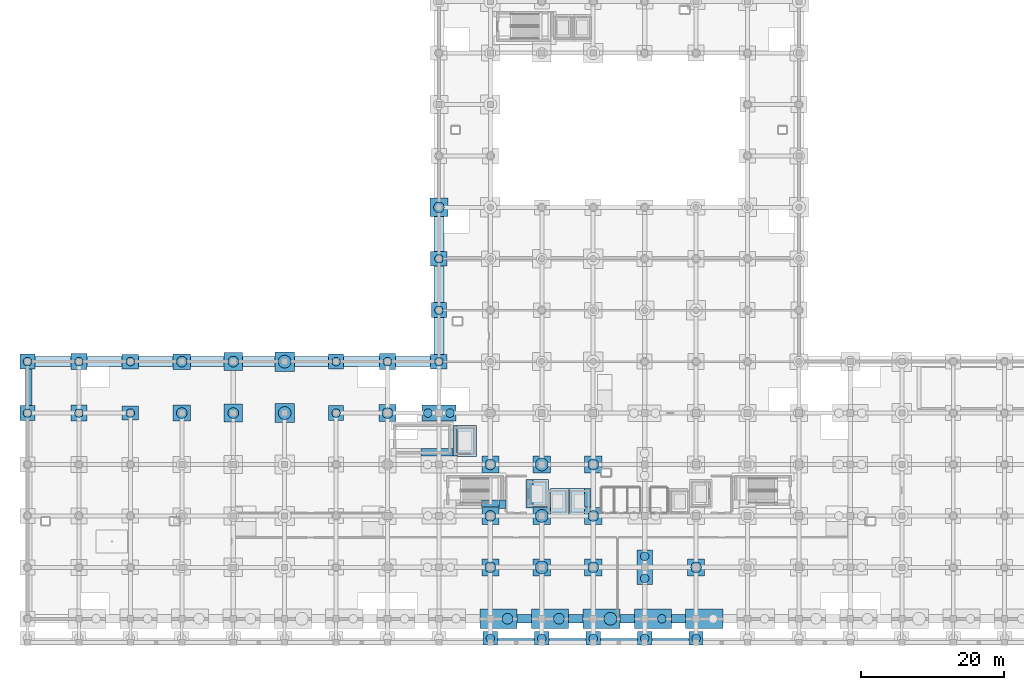
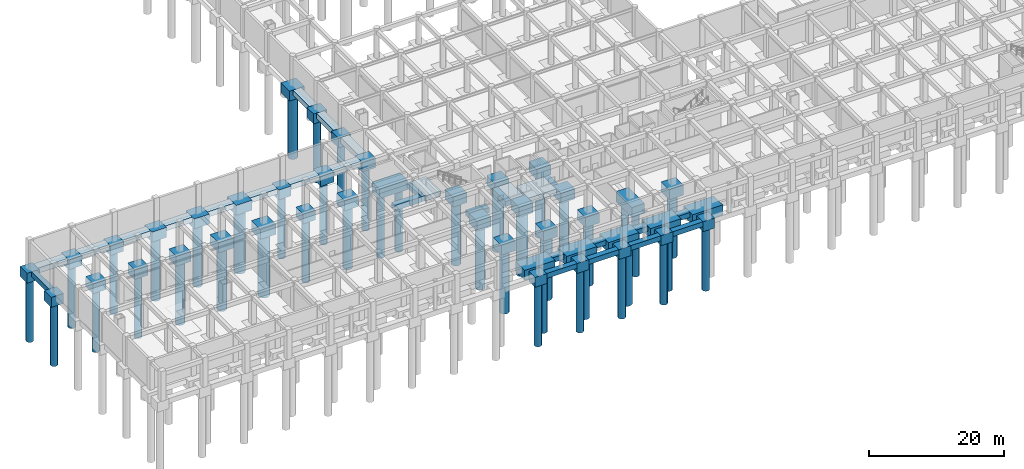
# One storey, part 2 of 26: 72 footings, 43 piles.
"""IFC4 building model written with IfcOpenShell, lengths in metres."""

from ifc_helpers import new_model, si_unit, direction, frame, origin, origin_2d, place, context, subcontext, project, spatial, polyline, rectangle, circle, outline, extrude, material, material_profile, profile_set, type_object, element, save


model = new_model("IFC4")

# Units and contexts
model_context = context("Model", 3, precision=1e-05, world=origin(), true_north=direction((0.0, 1.0)))
body_context = subcontext(model_context, "Body", "Model", "MODEL_VIEW")
ifc_project = project(units=[si_unit("LENGTHUNIT", "METRE"), si_unit("AREAUNIT", "SQUARE_METRE"), si_unit("VOLUMEUNIT", "CUBIC_METRE"), si_unit("PLANEANGLEUNIT", "RADIAN"), si_unit("MASSUNIT", "GRAM", prefix="KILO")], contexts=[model_context])

# Site, building, storey
site_placement = place(None, origin())
site = spatial("IfcSite", under=ifc_project, at=site_placement, CompositionType="ELEMENT")
building_placement = place(site_placement, origin())
building = spatial("IfcBuilding", under=site, at=building_placement, Name="Kazehaya Institute of Natural Sciences", CompositionType="ELEMENT")
storey_placement = place(building_placement, frame((0.0, 0.0, -5.39990234375)))
storey = spatial("IfcBuildingStorey", under=building, at=storey_placement, Name="B1", CompositionType="ELEMENT", Elevation=-5.39990234375)

# Footings
ifc_material = material(Name="Concrete Fc36", Category="concrete")
footing_type_1 = type_object("IfcFootingType", Name="FT-PAD01", PredefinedType="PAD_FOOTING", material=ifc_material)
footing_1_placement = place(storey_placement, frame((0.0, 0.0, -0.9501953125)))
element("IfcFooting", 1, at=footing_1_placement, inside=storey, type_object=footing_type_1, Name="Core ST-1 pad footing S seg 2", PredefinedType="PAD_FOOTING", context=body_context, shape_type="SweptSolid", body=[
    extrude(outline(polyline([(70.219970703125, 22.219970703125), (71.179931640625, 22.219970703125), (71.179931640625, 23.419921875), (70.219970703125, 23.419921875), (70.219970703125, 22.219970703125)])), origin(), (0.0, 0.0, 1.0), 0.9501953125),
])
footing_2_placement = place(storey_placement, frame((0.0, 0.0, -0.9501953125)))
element("IfcFooting", 2, at=footing_2_placement, inside=storey, type_object=footing_type_1, Name="Core ST-1 pad footing S seg 4", PredefinedType="PAD_FOOTING", context=body_context, shape_type="SweptSolid", body=[
    extrude(outline(polyline([(67.780029296875, 22.419921875), (70.219970703125, 22.419921875), (70.219970703125, 23.419921875), (67.780029296875, 23.419921875), (67.780029296875, 22.419921875)])), origin(), (0.0, 0.0, 1.0), 0.9501953125),
])
footing_3_placement = place(storey_placement, frame((0.0, 0.0, -0.9501953125)))
element("IfcFooting", 3, at=footing_3_placement, inside=storey, type_object=footing_type_1, Name="Core ST-4 pad footing S seg 3", PredefinedType="PAD_FOOTING", context=body_context, shape_type="SweptSolid", body=[
    extrude(outline(polyline([(59.280029296875, 29.6201171875), (63.780029296875, 29.6201171875), (63.780029296875, 30.6201171875), (59.280029296875, 30.6201171875), (59.280029296875, 29.6201171875)])), origin(), (0.0, 0.0, 1.0), 0.9501953125),
])
footing_4_placement = place(storey_placement, frame((0.0, 0.0, -0.900146484375)))
element("IfcFooting", 4, at=footing_4_placement, inside=storey, type_object=footing_type_1, Name="Lift EL07 pad footing seg 1", PredefinedType="PAD_FOOTING", context=body_context, shape_type="SweptSolid", body=[
    extrude(outline(polyline([(73.965087890625, 22.31494140625), (74.97998046875, 22.31494140625), (74.97998046875, 26.284912109375), (73.965087890625, 26.284912109375), (73.965087890625, 22.31494140625)])), origin(), (0.0, 0.0, 1.0), 0.900146484375),
])
footing_5_placement = place(storey_placement, frame((0.0, 0.0, -0.900146484375)))
element("IfcFooting", 5, at=footing_5_placement, inside=storey, type_object=footing_type_1, Name="Lift EL07 pad footing seg 2", PredefinedType="PAD_FOOTING", context=body_context, shape_type="SweptSolid", body=[
    extrude(outline(polyline([(74.97998046875, 22.419921875), (77.135009765625, 22.419921875), (77.135009765625, 26.284912109375), (74.97998046875, 26.284912109375), (74.97998046875, 22.419921875)])), origin(), (0.0, 0.0, 1.0), 0.900146484375),
])
footing_6_placement = place(storey_placement, frame((0.0, 0.0, -0.900146484375)))
element("IfcFooting", 6, at=footing_6_placement, inside=storey, type_object=footing_type_1, Name="Lift EL01 pad footing", PredefinedType="PAD_FOOTING", context=body_context, shape_type="SweptSolid", body=[
    extrude(outline(polyline([(77.419921875, 21.364990234375), (79.985107421875, 21.364990234375), (79.985107421875, 25.034912109375), (77.419921875, 25.034912109375), (77.419921875, 21.364990234375)])), origin(), (0.0, 0.0, 1.0), 0.900146484375),
])
footing_7_placement = place(storey_placement, frame((0.0, 0.0, -0.900146484375)))
element("IfcFooting", 7, at=footing_7_placement, inside=storey, type_object=footing_type_1, Name="Lift EL02 pad footing seg 1", PredefinedType="PAD_FOOTING", context=body_context, shape_type="SweptSolid", body=[
    extrude(outline(polyline([(80.0048828125, 21.364990234375), (82.179931640625, 21.364990234375), (82.179931640625, 25.034912109375), (80.0048828125, 25.034912109375), (80.0048828125, 21.364990234375)])), origin(), (0.0, 0.0, 1.0), 0.900146484375),
])
footing_8_placement = place(storey_placement, frame((0.0, 0.0, -0.900146484375)))
element("IfcFooting", 8, at=footing_8_placement, inside=storey, type_object=footing_type_1, Name="Lift EL02 pad footing seg 2", PredefinedType="PAD_FOOTING", context=body_context, shape_type="SweptSolid", body=[
    extrude(outline(polyline([(82.179931640625, 22.419921875), (83.0849609375, 22.419921875), (83.0849609375, 25.034912109375), (82.179931640625, 25.034912109375), (82.179931640625, 22.419921875)])), origin(), (0.0, 0.0, 1.0), 0.900146484375),
])
footing_9_placement = place(storey_placement, frame((0.0, 0.0, -0.900146484375)))
element("IfcFooting", 9, at=footing_9_placement, inside=storey, type_object=footing_type_1, Name="Lift EL06 pad footing seg 1", PredefinedType="PAD_FOOTING", context=body_context, shape_type="SweptSolid", body=[
    extrude(outline(polyline([(64.320068359375, 29.514892578125), (67.0849609375, 29.514892578125), (67.0849609375, 33.885009765625), (64.320068359375, 33.885009765625), (64.320068359375, 29.514892578125)])), origin(), (0.0, 0.0, 1.0), 0.900146484375),
])
footing_10_placement = place(storey_placement, frame((0.0, 0.0, -0.900146484375)))
element("IfcFooting", 10, at=footing_10_placement, inside=storey, type_object=footing_type_1, Name="Lift EL06 pad footing seg 2", PredefinedType="PAD_FOOTING", context=body_context, shape_type="SweptSolid", body=[
    extrude(outline(polyline([(63.800048828125, 29.6201171875), (64.320068359375, 29.6201171875), (64.320068359375, 33.885009765625), (63.800048828125, 33.885009765625), (63.800048828125, 29.6201171875)])), origin(), (0.0, 0.0, 1.0), 0.900146484375),
])
footing_type_2 = type_object("IfcFootingType", Name="FT-PC01", PredefinedType="PILE_CAP", material=ifc_material)
for number, where, z_axis, x_axis, name in (
    (11, (4.199951171875, 35.60009765625, -1.80029296875), (0.0, 0.0, 1.0), (1.0, 0.0, 0.0), "Pile cap CAP-121"),
    (12, (47.39990234375, 35.60009765625, -1.80029296875), (0.0, 0.0, 1.0), (1.0, 0.0, 0.0), "Pile cap CAP-127"),
    (13, (4.199951171875, 42.800048828125, -1.80029296875), (0.0, 0.0, 1.0), (1.0, 0.0, 0.0), "Pile cap CAP-145"),
    (14, (47.39990234375, 42.800048828125, -1.80029296875), (0.0, 0.0, 1.0), (1.0, 0.0, 0.0), "Pile cap CAP-151"),
    (15, (61.800048828125, 50.0, -1.80029296875), (0.0, 0.0, 1.0), (1.0, 0.0, 0.0), "Pile cap CAP-169"),
):
    element("IfcFooting", number, at=place(storey_placement, frame(where, z_axis=z_axis, x_axis=x_axis)), inside=storey, type_object=footing_type_2, Name=name, PredefinedType="PILE_CAP", context=body_context, shape_type="SweptSolid", body=[
        extrude(rectangle(XDim=2.10009765625, YDim=2.10009765625, at=origin_2d()), origin(), (0.0, 0.0, 1.0), 1.800048828125),
    ])
footing_type_3 = type_object("IfcFootingType", Name="FT-PC02", PredefinedType="PILE_CAP", material=ifc_material)
for number, where, z_axis, x_axis, name in (
    (16, (69.0, 14.0, -1.80029296875), (0.0, 0.0, 1.0), (1.0, 0.0, 0.0), "Pile cap CAP-058"),
    (17, (76.199951171875, 14.0, -1.80029296875), (0.0, 0.0, 1.0), (1.0, 0.0, 0.0), "Pile cap CAP-059"),
    (18, (83.39990234375, 14.0, -1.80029296875), (0.0, 0.0, 1.0), (1.0, 0.0, 0.0), "Pile cap CAP-060"),
    (19, (97.800048828125, 14.0, -1.80029296875), (0.0, 0.0, 1.0), (1.0, 0.0, 0.0), "Pile cap CAP-062"),
    (20, (69.0, 21.199951171875, -1.80029296875), (0.0, 0.0, 1.0), (1.0, 0.0, 0.0), "Pile cap CAP-082"),
    (21, (76.199951171875, 21.199951171875, -1.80029296875), (0.0, 0.0, 1.0), (1.0, 0.0, 0.0), "Pile cap CAP-083"),
    (22, (83.39990234375, 21.199951171875, -1.80029296875), (0.0, 0.0, 1.0), (1.0, 0.0, 0.0), "Pile cap CAP-084"),
    (23, (69.0, 28.39990234375, -1.80029296875), (0.0, 0.0, 1.0), (1.0, 0.0, 0.0), "Pile cap CAP-106"),
    (24, (76.199951171875, 28.39990234375, -1.80029296875), (0.0, 0.0, 1.0), (1.0, 0.0, 0.0), "Pile cap CAP-107"),
    (25, (83.39990234375, 28.39990234375, -1.80029296875), (0.0, 0.0, 1.0), (1.0, 0.0, 0.0), "Pile cap CAP-108"),
    (26, (54.60009765625, 35.60009765625, -1.80029296875), (0.0, 0.0, 1.0), (1.0, 0.0, 0.0), "Pile cap CAP-128"),
):
    element("IfcFooting", number, at=place(storey_placement, frame(where, z_axis=z_axis, x_axis=x_axis)), inside=storey, type_object=footing_type_3, Name=name, PredefinedType="PILE_CAP", context=body_context, shape_type="SweptSolid", body=[
        extrude(rectangle(XDim=2.39990234375, YDim=2.39990234375, at=origin_2d()), origin(), (0.0, 0.0, 1.0), 1.800048828125),
    ])
footing_type_4 = type_object("IfcFootingType", Name="FT-PC03", PredefinedType="PILE_CAP", material=ifc_material)
footing_11_placement = place(storey_placement, frame((61.800048828125, 35.60009765625, -1.80029296875), z_axis=(0.0, 0.0, 1.0), x_axis=(1.0, 0.0, 0.0)))
element("IfcFooting", 27, at=footing_11_placement, inside=storey, type_object=footing_type_4, Name="Pile cap CAP-129", PredefinedType="PILE_CAP", context=body_context, shape_type="SweptSolid", body=[
    extrude(rectangle(XDim=4.800048828125, YDim=2.199951171875, at=origin_2d()), origin(), (0.0, 0.0, 1.0), 1.800048828125),
])
footing_type_5 = type_object("IfcFootingType", Name="FT-PC04", PredefinedType="PILE_CAP", material=ifc_material)
footing_12_placement = place(storey_placement, frame((90.60009765625, 14.0, -1.80029296875), z_axis=(0.0, 0.0, 1.0), x_axis=(1.0, 0.0, 0.0)))
element("IfcFooting", 28, at=footing_12_placement, inside=storey, type_object=footing_type_5, Name="Pile cap CAP-061", PredefinedType="PILE_CAP", context=body_context, shape_type="SweptSolid", body=[
    extrude(rectangle(XDim=2.199951171875, YDim=4.800048828125, at=origin_2d()), origin(), (0.0, 0.0, 1.0), 1.800048828125),
])
footing_type_6 = type_object("IfcFootingType", Name="FT-PC05", PredefinedType="PILE_CAP", material=ifc_material)
for number, where, z_axis, x_axis, name in (
    (29, (69.0, 4.050048828125, -1.80029296875), (0.0, 0.0, 1.0), (1.0, 0.0, 0.0), "Pile cap CAP-010"),
    (30, (76.199951171875, 4.050048828125, -1.80029296875), (0.0, 0.0, 1.0), (1.0, 0.0, 0.0), "Pile cap CAP-011"),
    (31, (83.39990234375, 4.050048828125, -1.80029296875), (0.0, 0.0, 1.0), (1.0, 0.0, 0.0), "Pile cap CAP-012"),
    (32, (90.60009765625, 4.050048828125, -1.80029296875), (0.0, 0.0, 1.0), (1.0, 0.0, 0.0), "Pile cap CAP-013"),
    (33, (97.800048828125, 4.050048828125, -1.80029296875), (0.0, 0.0, 1.0), (1.0, 0.0, 0.0), "Pile cap CAP-014"),
):
    element("IfcFooting", number, at=place(storey_placement, frame(where, z_axis=z_axis, x_axis=x_axis)), inside=storey, type_object=footing_type_6, Name=name, PredefinedType="PILE_CAP", context=body_context, shape_type="SweptSolid", body=[
        extrude(rectangle(XDim=2.0, YDim=1.89990234375, at=origin_2d()), origin(), (0.0, 0.0, 1.0), 1.800048828125),
    ])
footing_type_7 = type_object("IfcFootingType", Name="FT-PC06", PredefinedType="PILE_CAP", material=ifc_material)
for number, where, z_axis, x_axis, name in (
    (34, (11.39990234375, 35.60009765625, -1.80029296875), (0.0, 0.0, 1.0), (1.0, 0.0, 0.0), "Pile cap CAP-122"),
    (35, (11.39990234375, 42.800048828125, -1.80029296875), (0.0, 0.0, 1.0), (1.0, 0.0, 0.0), "Pile cap CAP-146"),
    (36, (54.60009765625, 42.800048828125, -1.80029296875), (0.0, 0.0, 1.0), (1.0, 0.0, 0.0), "Pile cap CAP-152"),
):
    element("IfcFooting", number, at=place(storey_placement, frame(where, z_axis=z_axis, x_axis=x_axis)), inside=storey, type_object=footing_type_7, Name=name, PredefinedType="PILE_CAP", context=body_context, shape_type="SweptSolid", body=[
        extrude(rectangle(XDim=2.25, YDim=2.25, at=origin_2d()), origin(), (0.0, 0.0, 1.0), 1.800048828125),
    ])
footing_type_8 = type_object("IfcFootingType", Name="FT-PC07", PredefinedType="PILE_CAP", material=ifc_material)
for number, where, z_axis, x_axis, name in (
    (37, (33.0, 35.60009765625, -1.80029296875), (0.0, 0.0, 1.0), (1.0, 0.0, 0.0), "Pile cap CAP-125"),
    (38, (33.0, 42.800048828125, -1.80029296875), (0.0, 0.0, 1.0), (1.0, 0.0, 0.0), "Pile cap CAP-149"),
    (39, (61.800048828125, 64.39990234375, -1.80029296875), (0.0, 0.0, 1.0), (1.0, 0.0, 0.0), "Pile cap CAP-185"),
):
    element("IfcFooting", number, at=place(storey_placement, frame(where, z_axis=z_axis, x_axis=x_axis)), inside=storey, type_object=footing_type_8, Name=name, PredefinedType="PILE_CAP", context=body_context, shape_type="SweptSolid", body=[
        extrude(rectangle(XDim=2.550048828125, YDim=2.550048828125, at=origin_2d()), origin(), (0.0, 0.0, 1.0), 1.800048828125),
    ])
footing_type_9 = type_object("IfcFootingType", Name="FT-PC08", PredefinedType="PILE_CAP", material=ifc_material)
for number, where, z_axis, x_axis, name in (
    (40, (40.199951171875, 35.60009765625, -1.80029296875), (0.0, 0.0, 1.0), (1.0, 0.0, 0.0), "Pile cap CAP-126"),
    (41, (40.199951171875, 42.800048828125, -1.80029296875), (0.0, 0.0, 1.0), (1.0, 0.0, 0.0), "Pile cap CAP-150"),
):
    element("IfcFooting", number, at=place(storey_placement, frame(where, z_axis=z_axis, x_axis=x_axis)), inside=storey, type_object=footing_type_9, Name=name, PredefinedType="PILE_CAP", context=body_context, shape_type="SweptSolid", body=[
        extrude(rectangle(XDim=2.699951171875, YDim=2.699951171875, at=origin_2d()), origin(), (0.0, 0.0, 1.0), 1.800048828125),
    ])
footing_type_10 = type_object("IfcFootingType", Name="FT-PC10", PredefinedType="PILE_CAP", material=ifc_material)
for number, where, z_axis, x_axis, name in (
    (42, (70.14990234375, 6.800048828125, -1.80029296875), (0.0, 0.0, 1.0), (1.0, 0.0, 0.0), "Pile cap CAP-034"),
    (43, (77.35009765625, 6.800048828125, -1.80029296875), (0.0, 0.0, 1.0), (1.0, 0.0, 0.0), "Pile cap CAP-035"),
    (44, (84.550048828125, 6.800048828125, -1.80029296875), (0.0, 0.0, 1.0), (1.0, 0.0, 0.0), "Pile cap CAP-036"),
    (45, (91.75, 6.800048828125, -1.80029296875), (0.0, 0.0, 1.0), (1.0, 0.0, 0.0), "Pile cap CAP-037"),
    (46, (98.949951171875, 6.800048828125, -1.80029296875), (0.0, 0.0, 1.0), (1.0, 0.0, 0.0), "Pile cap CAP-038"),
):
    element("IfcFooting", number, at=place(storey_placement, frame(where, z_axis=z_axis, x_axis=x_axis)), inside=storey, type_object=footing_type_10, Name=name, PredefinedType="PILE_CAP", context=body_context, shape_type="SweptSolid", body=[
        extrude(rectangle(XDim=5.199951171875, YDim=2.699951171875, at=origin_2d()), origin(), (0.0, 0.0, 1.0), 1.800048828125),
    ])
footing_type_11 = type_object("IfcFootingType", Name="FT-PC11", PredefinedType="PILE_CAP", material=ifc_material)
for number, where, z_axis, x_axis, name in (
    (47, (18.60009765625, 35.60009765625, -1.80029296875), (0.0, 0.0, 1.0), (1.0, 0.0, 0.0), "Pile cap CAP-123"),
    (48, (18.60009765625, 42.800048828125, -1.80029296875), (0.0, 0.0, 1.0), (1.0, 0.0, 0.0), "Pile cap CAP-147"),
    (49, (61.800048828125, 42.800048828125, -1.80029296875), (0.0, 0.0, 1.0), (1.0, 0.0, 0.0), "Pile cap CAP-153"),
    (50, (61.800048828125, 57.199951171875, -1.80029296875), (0.0, 0.0, 1.0), (1.0, 0.0, 0.0), "Pile cap CAP-177"),
):
    element("IfcFooting", number, at=place(storey_placement, frame(where, z_axis=z_axis, x_axis=x_axis)), inside=storey, type_object=footing_type_11, Name=name, PredefinedType="PILE_CAP", context=body_context, shape_type="SweptSolid", body=[
        extrude(rectangle(XDim=2.300048828125, YDim=2.0, at=origin_2d()), origin(), (0.0, 0.0, 1.0), 1.800048828125),
    ])
footing_type_12 = type_object("IfcFootingType", Name="FT-PC12", PredefinedType="PILE_CAP", material=ifc_material)
for number, where, z_axis, x_axis, name in (
    (51, (25.800048828125, 35.60009765625, -1.80029296875), (0.0, 0.0, 1.0), (1.0, 0.0, 0.0), "Pile cap CAP-124"),
    (52, (25.800048828125, 42.800048828125, -1.80029296875), (0.0, 0.0, 1.0), (1.0, 0.0, 0.0), "Pile cap CAP-148"),
):
    element("IfcFooting", number, at=place(storey_placement, frame(where, z_axis=z_axis, x_axis=x_axis)), inside=storey, type_object=footing_type_12, Name=name, PredefinedType="PILE_CAP", context=body_context, shape_type="SweptSolid", body=[
        extrude(rectangle(XDim=2.5, YDim=2.199951171875, at=origin_2d()), origin(), (0.0, 0.0, 1.0), 1.800048828125),
    ])
footing_type_13 = type_object("IfcFootingType", Name="FT-SF01", PredefinedType="STRIP_FOOTING", material=ifc_material)
footing_13_placement = place(storey_placement, frame((0.0, 0.0, -0.900146484375)))
element("IfcFooting", 53, at=footing_13_placement, inside=storey, type_object=footing_type_13, Name="Perimeter strip footing SF-010", PredefinedType="STRIP_FOOTING", context=body_context, shape_type="SweptSolid", body=[
    extrude(outline(polyline([(70.0, 3.1201171875), (75.199951171875, 3.1201171875), (75.199951171875, 4.050048828125), (70.0, 4.050048828125), (70.0, 3.1201171875)])), origin(), (0.0, 0.0, 1.0), 0.900146484375),
])
footing_14_placement = place(storey_placement, frame((0.0, 0.0, -0.900146484375)))
element("IfcFooting", 54, at=footing_14_placement, inside=storey, type_object=footing_type_13, Name="Perimeter strip footing SF-011", PredefinedType="STRIP_FOOTING", context=body_context, shape_type="SweptSolid", body=[
    extrude(outline(polyline([(77.199951171875, 3.1201171875), (82.39990234375, 3.1201171875), (82.39990234375, 4.050048828125), (77.199951171875, 4.050048828125), (77.199951171875, 3.1201171875)])), origin(), (0.0, 0.0, 1.0), 0.900146484375),
])
footing_15_placement = place(storey_placement, frame((0.0, 0.0, -0.900146484375)))
element("IfcFooting", 55, at=footing_15_placement, inside=storey, type_object=footing_type_13, Name="Perimeter strip footing SF-012", PredefinedType="STRIP_FOOTING", context=body_context, shape_type="SweptSolid", body=[
    extrude(outline(polyline([(84.39990234375, 3.1201171875), (89.60009765625, 3.1201171875), (89.60009765625, 4.050048828125), (84.39990234375, 4.050048828125), (84.39990234375, 3.1201171875)])), origin(), (0.0, 0.0, 1.0), 0.900146484375),
])
footing_16_placement = place(storey_placement, frame((0.0, 0.0, -0.900146484375)))
element("IfcFooting", 56, at=footing_16_placement, inside=storey, type_object=footing_type_13, Name="Perimeter strip footing SF-013", PredefinedType="STRIP_FOOTING", context=body_context, shape_type="SweptSolid", body=[
    extrude(outline(polyline([(91.60009765625, 3.1201171875), (96.800048828125, 3.1201171875), (96.800048828125, 4.050048828125), (91.60009765625, 4.050048828125), (91.60009765625, 3.1201171875)])), origin(), (0.0, 0.0, 1.0), 0.900146484375),
])
footing_17_placement = place(storey_placement, frame((0.0, 0.0, -0.900146484375)))
element("IfcFooting", 57, at=footing_17_placement, inside=storey, type_object=footing_type_13, Name="Perimeter strip footing SF-033", PredefinedType="STRIP_FOOTING", context=body_context, shape_type="SweptSolid", body=[
    extrude(outline(polyline([(72.75, 6.199951171875), (74.75, 6.199951171875), (74.75, 7.39990234375), (72.75, 7.39990234375), (72.75, 6.199951171875)])), origin(), (0.0, 0.0, 1.0), 0.900146484375),
])
footing_18_placement = place(storey_placement, frame((0.0, 0.0, -0.900146484375)))
element("IfcFooting", 58, at=footing_18_placement, inside=storey, type_object=footing_type_13, Name="Perimeter strip footing SF-034", PredefinedType="STRIP_FOOTING", context=body_context, shape_type="SweptSolid", body=[
    extrude(outline(polyline([(79.949951171875, 6.199951171875), (81.949951171875, 6.199951171875), (81.949951171875, 7.39990234375), (79.949951171875, 7.39990234375), (79.949951171875, 6.199951171875)])), origin(), (0.0, 0.0, 1.0), 0.900146484375),
])
footing_19_placement = place(storey_placement, frame((0.0, 0.0, -0.900146484375)))
element("IfcFooting", 59, at=footing_19_placement, inside=storey, type_object=footing_type_13, Name="Perimeter strip footing SF-035", PredefinedType="STRIP_FOOTING", context=body_context, shape_type="SweptSolid", body=[
    extrude(outline(polyline([(87.14990234375, 6.199951171875), (89.14990234375, 6.199951171875), (89.14990234375, 7.39990234375), (87.14990234375, 7.39990234375), (87.14990234375, 6.199951171875)])), origin(), (0.0, 0.0, 1.0), 0.900146484375),
])
footing_20_placement = place(storey_placement, frame((0.0, 0.0, -0.900146484375)))
element("IfcFooting", 60, at=footing_20_placement, inside=storey, type_object=footing_type_13, Name="Perimeter strip footing SF-036", PredefinedType="STRIP_FOOTING", context=body_context, shape_type="SweptSolid", body=[
    extrude(outline(polyline([(94.35009765625, 6.199951171875), (96.35009765625, 6.199951171875), (96.35009765625, 7.39990234375), (94.35009765625, 7.39990234375), (94.35009765625, 6.199951171875)])), origin(), (0.0, 0.0, 1.0), 0.900146484375),
])
footing_21_placement = place(storey_placement, frame((0.0, 0.0, -0.900146484375)))
element("IfcFooting", 61, at=footing_21_placement, inside=storey, type_object=footing_type_13, Name="Perimeter strip footing SF-051", PredefinedType="STRIP_FOOTING", context=body_context, shape_type="SweptSolid", body=[
    extrude(outline(polyline([(3.919921875, 36.64990234375), (4.800048828125, 36.64990234375), (4.800048828125, 41.75), (3.919921875, 41.75), (3.919921875, 36.64990234375)])), origin(), (0.0, 0.0, 1.0), 0.900146484375),
])
footing_type_14 = type_object("IfcFootingType", Name="FT-SF02", PredefinedType="STRIP_FOOTING", material=ifc_material)
footing_22_placement = place(storey_placement, frame((0.0, 0.0, -0.9501953125)))
element("IfcFooting", 62, at=footing_22_placement, inside=storey, type_object=footing_type_14, Name="Perimeter strip footing SF-052", PredefinedType="STRIP_FOOTING", context=body_context, shape_type="SweptSolid", body=[
    extrude(outline(polyline([(5.25, 42.10009765625), (10.27490234375, 42.10009765625), (10.27490234375, 43.5), (5.25, 43.5), (5.25, 42.10009765625)])), origin(), (0.0, 0.0, 1.0), 0.9501953125),
])
footing_23_placement = place(storey_placement, frame((0.0, 0.0, -0.9501953125)))
element("IfcFooting", 63, at=footing_23_placement, inside=storey, type_object=footing_type_14, Name="Perimeter strip footing SF-053", PredefinedType="STRIP_FOOTING", context=body_context, shape_type="SweptSolid", body=[
    extrude(outline(polyline([(12.52490234375, 42.10009765625), (17.449951171875, 42.10009765625), (17.449951171875, 43.5), (12.52490234375, 43.5), (12.52490234375, 42.10009765625)])), origin(), (0.0, 0.0, 1.0), 0.9501953125),
])
footing_24_placement = place(storey_placement, frame((0.0, 0.0, -0.9501953125)))
element("IfcFooting", 64, at=footing_24_placement, inside=storey, type_object=footing_type_14, Name="Perimeter strip footing SF-054", PredefinedType="STRIP_FOOTING", context=body_context, shape_type="SweptSolid", body=[
    extrude(outline(polyline([(19.75, 42.10009765625), (24.550048828125, 42.10009765625), (24.550048828125, 43.5), (19.75, 43.5), (19.75, 42.10009765625)])), origin(), (0.0, 0.0, 1.0), 0.9501953125),
])
footing_25_placement = place(storey_placement, frame((0.0, 0.0, -0.9501953125)))
element("IfcFooting", 65, at=footing_25_placement, inside=storey, type_object=footing_type_14, Name="Perimeter strip footing SF-055", PredefinedType="STRIP_FOOTING", context=body_context, shape_type="SweptSolid", body=[
    extrude(outline(polyline([(27.050048828125, 42.10009765625), (31.72509765625, 42.10009765625), (31.72509765625, 43.5), (27.050048828125, 43.5), (27.050048828125, 42.10009765625)])), origin(), (0.0, 0.0, 1.0), 0.9501953125),
])
footing_26_placement = place(storey_placement, frame((0.0, 0.0, -0.9501953125)))
element("IfcFooting", 66, at=footing_26_placement, inside=storey, type_object=footing_type_14, Name="Perimeter strip footing SF-056", PredefinedType="STRIP_FOOTING", context=body_context, shape_type="SweptSolid", body=[
    extrude(outline(polyline([(34.27490234375, 42.10009765625), (38.85009765625, 42.10009765625), (38.85009765625, 43.5), (34.27490234375, 43.5), (34.27490234375, 42.10009765625)])), origin(), (0.0, 0.0, 1.0), 0.9501953125),
])
footing_27_placement = place(storey_placement, frame((0.0, 0.0, -0.9501953125)))
element("IfcFooting", 67, at=footing_27_placement, inside=storey, type_object=footing_type_14, Name="Perimeter strip footing SF-057", PredefinedType="STRIP_FOOTING", context=body_context, shape_type="SweptSolid", body=[
    extrude(outline(polyline([(41.550048828125, 42.10009765625), (46.35009765625, 42.10009765625), (46.35009765625, 43.5), (41.550048828125, 43.5), (41.550048828125, 42.10009765625)])), origin(), (0.0, 0.0, 1.0), 0.9501953125),
])
footing_28_placement = place(storey_placement, frame((0.0, 0.0, -0.9501953125)))
element("IfcFooting", 68, at=footing_28_placement, inside=storey, type_object=footing_type_14, Name="Perimeter strip footing SF-058", PredefinedType="STRIP_FOOTING", context=body_context, shape_type="SweptSolid", body=[
    extrude(outline(polyline([(48.449951171875, 42.10009765625), (53.47509765625, 42.10009765625), (53.47509765625, 43.5), (48.449951171875, 43.5), (48.449951171875, 42.10009765625)])), origin(), (0.0, 0.0, 1.0), 0.9501953125),
])
footing_29_placement = place(storey_placement, frame((0.0, 0.0, -0.9501953125)))
element("IfcFooting", 69, at=footing_29_placement, inside=storey, type_object=footing_type_14, Name="Perimeter strip footing SF-059", PredefinedType="STRIP_FOOTING", context=body_context, shape_type="SweptSolid", body=[
    extrude(outline(polyline([(55.72509765625, 42.10009765625), (60.64990234375, 42.10009765625), (60.64990234375, 43.5), (55.72509765625, 43.5), (55.72509765625, 42.10009765625)])), origin(), (0.0, 0.0, 1.0), 0.9501953125),
])
footing_30_placement = place(storey_placement, frame((0.0, 0.0, -0.9501953125)))
element("IfcFooting", 70, at=footing_30_placement, inside=storey, type_object=footing_type_14, Name="Perimeter strip footing SF-060", PredefinedType="STRIP_FOOTING", context=body_context, shape_type="SweptSolid", body=[
    extrude(outline(polyline([(61.10009765625, 43.800048828125), (62.5, 43.800048828125), (62.5, 48.949951171875), (61.10009765625, 48.949951171875), (61.10009765625, 43.800048828125)])), origin(), (0.0, 0.0, 1.0), 0.9501953125),
])
footing_31_placement = place(storey_placement, frame((0.0, 0.0, -0.9501953125)))
element("IfcFooting", 71, at=footing_31_placement, inside=storey, type_object=footing_type_14, Name="Perimeter strip footing SF-061", PredefinedType="STRIP_FOOTING", context=body_context, shape_type="SweptSolid", body=[
    extrude(outline(polyline([(61.10009765625, 51.050048828125), (62.5, 51.050048828125), (62.5, 56.199951171875), (61.10009765625, 56.199951171875), (61.10009765625, 51.050048828125)])), origin(), (0.0, 0.0, 1.0), 0.9501953125),
])
footing_32_placement = place(storey_placement, frame((0.0, 0.0, -0.9501953125)))
element("IfcFooting", 72, at=footing_32_placement, inside=storey, type_object=footing_type_14, Name="Perimeter strip footing SF-062", PredefinedType="STRIP_FOOTING", context=body_context, shape_type="SweptSolid", body=[
    extrude(outline(polyline([(61.10009765625, 58.199951171875), (62.5, 58.199951171875), (62.5, 63.125), (61.10009765625, 63.125), (61.10009765625, 58.199951171875)])), origin(), (0.0, 0.0, 1.0), 0.9501953125),
])

# Piles
ifc_material_profile_1 = material_profile(ifc_material, circle(Radius=0.60009765625, at=origin_2d()), Name="PILE-1200")
ifc_profile_set_1 = profile_set([ifc_material_profile_1], Name="Concrete Fc36")
pile_type_1 = type_object("IfcPileType", Name="PILE-1200", PredefinedType="BORED", material=ifc_profile_set_1)
for number, where, z_axis, x_axis, name in (
    (73, (69.0, 4.050048828125, -1.7001953125), (0.0, 0.0, -1.0), (1.0, 0.0, 0.0), "Bored pile CAP-010-P1"),
    (74, (76.199951171875, 4.050048828125, -1.7001953125), (0.0, 0.0, -1.0), (1.0, 0.0, 0.0), "Bored pile CAP-011-P1"),
    (75, (83.39990234375, 4.050048828125, -1.7001953125), (0.0, 0.0, -1.0), (1.0, 0.0, 0.0), "Bored pile CAP-012-P1"),
    (76, (90.60009765625, 4.050048828125, -1.7001953125), (0.0, 0.0, -1.0), (1.0, 0.0, 0.0), "Bored pile CAP-013-P1"),
    (77, (97.800048828125, 4.050048828125, -1.7001953125), (0.0, 0.0, -1.0), (1.0, 0.0, 0.0), "Bored pile CAP-014-P1"),
    (78, (93.0, 6.800048828125, -1.7001953125), (0.0, 0.0, -1.0), (1.0, 0.0, 0.0), "Bored pile CAP-037-P1"),
    (79, (90.60009765625, 12.449951171875, -1.7001953125), (0.0, 0.0, -1.0), (1.0, 0.0, 0.0), "Bored pile CAP-061-P1"),
    (80, (90.60009765625, 15.550048828125, -1.7001953125), (0.0, 0.0, -1.0), (1.0, 0.0, 0.0), "Bored pile CAP-061-P2"),
    (81, (4.199951171875, 35.60009765625, -1.7001953125), (0.0, 0.0, -1.0), (1.0, 0.0, 0.0), "Bored pile CAP-121-P1"),
    (82, (11.39990234375, 35.60009765625, -1.7001953125), (0.0, 0.0, -1.0), (1.0, 0.0, 0.0), "Bored pile CAP-122-P1"),
    (83, (18.60009765625, 35.60009765625, -1.7001953125), (0.0, 0.0, -1.0), (1.0, 0.0, 0.0), "Bored pile CAP-123-P1"),
    (84, (47.39990234375, 35.60009765625, -1.7001953125), (0.0, 0.0, -1.0), (1.0, 0.0, 0.0), "Bored pile CAP-127-P1"),
    (85, (60.25, 35.60009765625, -1.7001953125), (0.0, 0.0, -1.0), (1.0, 0.0, 0.0), "Bored pile CAP-129-P1"),
    (86, (63.35009765625, 35.60009765625, -1.7001953125), (0.0, 0.0, -1.0), (1.0, 0.0, 0.0), "Bored pile CAP-129-P2"),
    (87, (4.199951171875, 42.800048828125, -1.7001953125), (0.0, 0.0, -1.0), (1.0, 0.0, 0.0), "Bored pile CAP-145-P1"),
    (88, (11.39990234375, 42.800048828125, -1.7001953125), (0.0, 0.0, -1.0), (1.0, 0.0, 0.0), "Bored pile CAP-146-P1"),
    (89, (18.60009765625, 42.800048828125, -1.7001953125), (0.0, 0.0, -1.0), (1.0, 0.0, 0.0), "Bored pile CAP-147-P1"),
    (90, (47.39990234375, 42.800048828125, -1.7001953125), (0.0, 0.0, -1.0), (1.0, 0.0, 0.0), "Bored pile CAP-151-P1"),
    (91, (54.60009765625, 42.800048828125, -1.7001953125), (0.0, 0.0, -1.0), (1.0, 0.0, 0.0), "Bored pile CAP-152-P1"),
    (92, (61.800048828125, 42.800048828125, -1.7001953125), (0.0, 0.0, -1.0), (1.0, 0.0, 0.0), "Bored pile CAP-153-P1"),
    (93, (61.800048828125, 50.0, -1.7001953125), (0.0, 0.0, -1.0), (1.0, 0.0, 0.0), "Bored pile CAP-169-P1"),
    (94, (61.800048828125, 57.199951171875, -1.7001953125), (0.0, 0.0, -1.0), (1.0, 0.0, 0.0), "Bored pile CAP-177-P1"),
):
    element("IfcPile", number, at=place(storey_placement, frame(where, z_axis=z_axis, x_axis=x_axis)), inside=storey, type_object=pile_type_1, Name=name, PredefinedType="BORED", context=body_context, shape_type="SweptSolid", body=[
        extrude(circle(Radius=0.60009765625, at=origin_2d()), origin(), (0.0, 0.0, 1.0), 11.39990234375),
    ])
ifc_material_profile_2 = material_profile(ifc_material, circle(Radius=0.75, at=origin_2d()), Name="PILE-1500")
ifc_profile_set_2 = profile_set([ifc_material_profile_2], Name="Concrete Fc36")
pile_type_2 = type_object("IfcPileType", Name="PILE-1500", PredefinedType="BORED", material=ifc_profile_set_2)
for number, where, z_axis, x_axis, name in (
    (95, (71.39990234375, 6.800048828125, -1.7001953125), (0.0, 0.0, -1.0), (1.0, 0.0, 0.0), "Bored pile CAP-034-P1"),
    (96, (78.60009765625, 6.800048828125, -1.7001953125), (0.0, 0.0, -1.0), (1.0, 0.0, 0.0), "Bored pile CAP-035-P1"),
    (97, (69.0, 14.0, -1.7001953125), (0.0, 0.0, -1.0), (1.0, 0.0, 0.0), "Bored pile CAP-058-P1"),
    (98, (83.39990234375, 14.0, -1.7001953125), (0.0, 0.0, -1.0), (1.0, 0.0, 0.0), "Bored pile CAP-060-P1"),
    (99, (97.800048828125, 14.0, -1.7001953125), (0.0, 0.0, -1.0), (1.0, 0.0, 0.0), "Bored pile CAP-062-P1"),
    (100, (69.0, 21.199951171875, -1.7001953125), (0.0, 0.0, -1.0), (1.0, 0.0, 0.0), "Bored pile CAP-082-P1"),
    (101, (83.39990234375, 21.199951171875, -1.7001953125), (0.0, 0.0, -1.0), (1.0, 0.0, 0.0), "Bored pile CAP-084-P1"),
    (102, (69.0, 28.39990234375, -1.7001953125), (0.0, 0.0, -1.0), (1.0, 0.0, 0.0), "Bored pile CAP-106-P1"),
    (103, (83.39990234375, 28.39990234375, -1.7001953125), (0.0, 0.0, -1.0), (1.0, 0.0, 0.0), "Bored pile CAP-108-P1"),
    (104, (25.800048828125, 35.60009765625, -1.7001953125), (0.0, 0.0, -1.0), (1.0, 0.0, 0.0), "Bored pile CAP-124-P1"),
    (105, (33.0, 35.60009765625, -1.7001953125), (0.0, 0.0, -1.0), (1.0, 0.0, 0.0), "Bored pile CAP-125-P1"),
    (106, (54.60009765625, 35.60009765625, -1.7001953125), (0.0, 0.0, -1.0), (1.0, 0.0, 0.0), "Bored pile CAP-128-P1"),
    (107, (25.800048828125, 42.800048828125, -1.7001953125), (0.0, 0.0, -1.0), (1.0, 0.0, 0.0), "Bored pile CAP-148-P1"),
    (108, (33.0, 42.800048828125, -1.7001953125), (0.0, 0.0, -1.0), (1.0, 0.0, 0.0), "Bored pile CAP-149-P1"),
    (109, (61.800048828125, 64.39990234375, -1.7001953125), (0.0, 0.0, -1.0), (1.0, 0.0, 0.0), "Bored pile CAP-185-P1"),
):
    element("IfcPile", number, at=place(storey_placement, frame(where, z_axis=z_axis, x_axis=x_axis)), inside=storey, type_object=pile_type_2, Name=name, PredefinedType="BORED", context=body_context, shape_type="SweptSolid", body=[
        extrude(circle(Radius=0.75, at=origin_2d()), origin(), (0.0, 0.0, 1.0), 11.39990234375),
    ])
ifc_material_profile_3 = material_profile(ifc_material, circle(Radius=0.89990234375, at=origin_2d()), Name="PILE-1800")
ifc_profile_set_3 = profile_set([ifc_material_profile_3], Name="Concrete Fc36")
pile_type_3 = type_object("IfcPileType", Name="PILE-1800", PredefinedType="BORED", material=ifc_profile_set_3)
for number, where, z_axis, x_axis, name in (
    (110, (85.800048828125, 6.800048828125, -1.7001953125), (0.0, 0.0, -1.0), (1.0, 0.0, 0.0), "Bored pile CAP-036-P1"),
    (111, (76.199951171875, 14.0, -1.7001953125), (0.0, 0.0, -1.0), (1.0, 0.0, 0.0), "Bored pile CAP-059-P1"),
    (112, (76.199951171875, 21.199951171875, -1.7001953125), (0.0, 0.0, -1.0), (1.0, 0.0, 0.0), "Bored pile CAP-083-P1"),
    (113, (76.199951171875, 28.39990234375, -1.7001953125), (0.0, 0.0, -1.0), (1.0, 0.0, 0.0), "Bored pile CAP-107-P1"),
    (114, (40.199951171875, 35.60009765625, -1.7001953125), (0.0, 0.0, -1.0), (1.0, 0.0, 0.0), "Bored pile CAP-126-P1"),
    (115, (40.199951171875, 42.800048828125, -1.7001953125), (0.0, 0.0, -1.0), (1.0, 0.0, 0.0), "Bored pile CAP-150-P1"),
):
    element("IfcPile", number, at=place(storey_placement, frame(where, z_axis=z_axis, x_axis=x_axis)), inside=storey, type_object=pile_type_3, Name=name, PredefinedType="BORED", context=body_context, shape_type="SweptSolid", body=[
        extrude(circle(Radius=0.89990234375, at=origin_2d()), origin(), (0.0, 0.0, 1.0), 11.39990234375),
    ])

save(model, "model.ifc")
